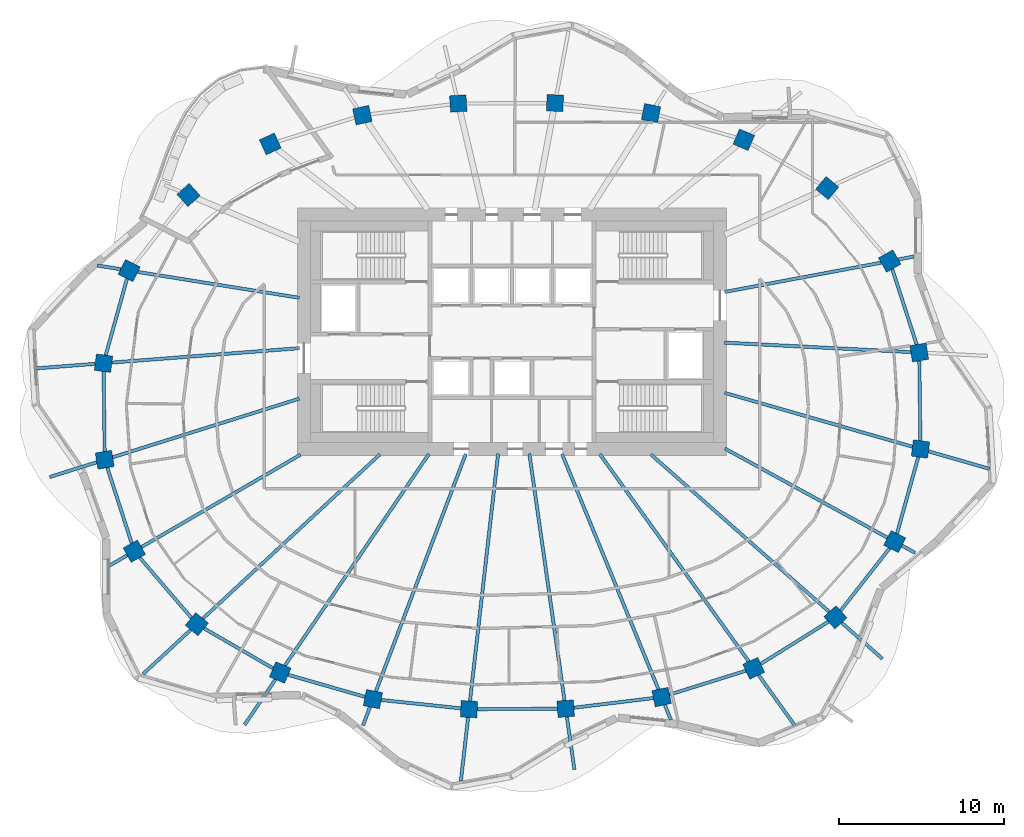
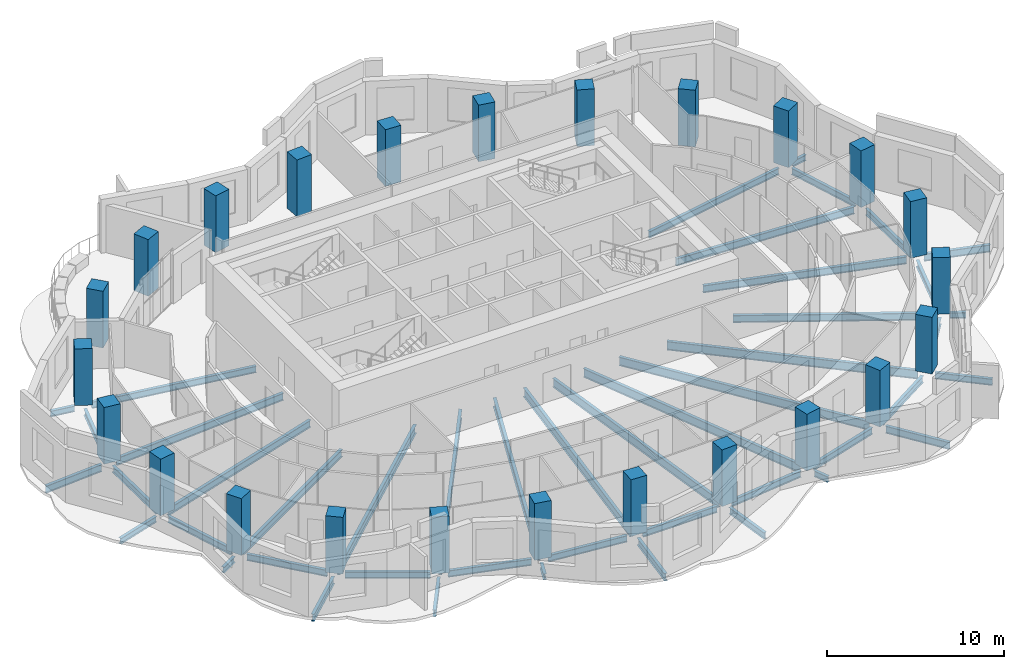
# One storey, part 1 of 13: 46 beams, 24 columns.
"""IFC4 building model written with IfcOpenShell, lengths in metres."""

from ifc_helpers import new_model, si_unit, direction, frame, origin, origin_2d, place, context, subcontext, project, spatial, rectangle, i_section, extrude, material, material_profile, profile_set, type_object, element, save


model = new_model("IFC4")

# Units and contexts
model_context = context("Model", 3, precision=1e-05, world=origin(), true_north=direction((0.0, 1.0)))
body_context = subcontext(model_context, "Body", "Model", "MODEL_VIEW")
ifc_project = project(units=[si_unit("LENGTHUNIT", "METRE"), si_unit("AREAUNIT", "SQUARE_METRE"), si_unit("VOLUMEUNIT", "CUBIC_METRE"), si_unit("PLANEANGLEUNIT", "RADIAN"), si_unit("MASSUNIT", "GRAM", prefix="KILO")], contexts=[model_context])

# Site, building, storey
site_placement = place(None, origin())
site = spatial("IfcSite", under=ifc_project, at=site_placement, CompositionType="ELEMENT")
building_placement = place(site_placement, origin())
building = spatial("IfcBuilding", under=site, at=building_placement, Name="Rubra Terraces Tower", CompositionType="ELEMENT")
storey_placement = place(building_placement, frame((0.0, 0.0, 189.60009765625)))
storey = spatial("IfcBuildingStorey", under=building, at=storey_placement, Name="L46", CompositionType="ELEMENT", Elevation=189.60009765625)

# Columns
ifc_material_1 = material(Name="Concrete C50", Category="concrete")
ifc_material_profile_1 = material_profile(ifc_material_1, rectangle(XDim=1.0, YDim=1.0, at=origin_2d()), Name="RC 1000x1000")
ifc_profile_set_1 = profile_set([ifc_material_profile_1], Name="Concrete C50")
column_type = type_object("IfcColumnType", Name="RING COLUMN RC 1000x1000 C50", PredefinedType="COLUMN", material=ifc_profile_set_1)
for number, where, z_axis, x_axis, name in (
    (1, (24.6689453125, 3.248046875, 0.0), (0.0, 0.0, 1.0), (-0.161559167715, 0.986863027642, 0.0), "column-L46-ring-01"),
    (2, (22.87890625, 8.787109375, 0.0), (0.0, 0.0, 1.0), (-0.48852601316, 0.872549330678, 0.0), "column-L46-ring-02"),
    (3, (19.092041015625, 13.208984375, 0.0), (0.0, 0.0, 1.0), (-0.76886986222, 0.63940529789, 0.0), "column-L46-ring-03"),
    (4, (14.0419921875, 16.135986328125, 0.0), (0.0, 0.0, 1.0), (-0.920167856842, 0.391524092789, 0.0), "column-L46-ring-04"),
    (5, (8.422119140625, 17.7490234375, 0.0), (0.0, 0.0, 1.0), (-0.981654668733, 0.19066754143, 0.0), "column-L46-ring-05"),
    (6, (2.60205078125, 18.35791015625, 0.0), (0.0, 0.0, 1.0), (-0.998764256028, 0.049698700995, 0.0), "column-L46-ring-06"),
    (7, (-3.25390625, 18.330078125, 0.0), (0.0, 0.0, 1.0), (-0.998031548759, -0.062713855578, 0.0), "column-L46-ring-07"),
    (8, (-9.06298828125, 17.625, 0.0), (0.0, 0.0, 1.0), (-0.977652674797, -0.210226657352, 0.0), "column-L46-ring-08"),
    (9, (-14.64306640625, 15.881103515625, 0.0), (0.0, 0.0, 1.0), (-0.908778580451, -0.417278673927, 0.0), "column-L46-ring-09"),
    (10, (-19.593017578125, 12.7900390625, 0.0), (0.0, 0.0, 1.0), (-0.744021317198, -0.668155879683, 0.0), "column-L46-ring-10"),
    (11, (-23.18505859375, 8.2099609375, 0.0), (0.0, 0.0, 1.0), (-0.451027931402, -0.892509834733, 0.0), "column-L46-ring-11"),
    (12, (-24.742919921875, 2.59912109375, 0.0), (0.0, 0.0, 1.0), (-0.128443684554, -0.991716804283, 0.0), "column-L46-ring-12"),
    (13, (-24.6689453125, -3.248046875, 0.0), (0.0, 0.0, 1.0), (0.161559167715, -0.986863027642, 0.0), "column-L46-ring-13"),
    (14, (-22.87890625, -8.787109375, 0.0), (0.0, 0.0, 1.0), (0.48852601316, -0.872549330678, 0.0), "column-L46-ring-14"),
    (15, (-19.092041015625, -13.208984375, 0.0), (0.0, 0.0, 1.0), (0.76886986222, -0.63940529789, 0.0), "column-L46-ring-15"),
    (16, (-14.0419921875, -16.135986328125, 0.0), (0.0, 0.0, 1.0), (0.920167856842, -0.391524092789, 0.0), "column-L46-ring-16"),
    (17, (-8.422119140625, -17.7490234375, 0.0), (0.0, 0.0, 1.0), (0.981654668733, -0.19066754143, 0.0), "column-L46-ring-17"),
    (18, (-2.60205078125, -18.35791015625, 0.0), (0.0, 0.0, 1.0), (0.998764256028, -0.049698700995, 0.0), "column-L46-ring-18"),
    (19, (3.25390625, -18.330078125, 0.0), (0.0, 0.0, 1.0), (0.998031548759, 0.062713855578, 0.0), "column-L46-ring-19"),
    (20, (9.06298828125, -17.625, 0.0), (0.0, 0.0, 1.0), (0.977652674797, 0.210226657352, 0.0), "column-L46-ring-20"),
    (21, (14.64306640625, -15.881103515625, 0.0), (0.0, 0.0, 1.0), (0.908778580451, 0.417278673927, 0.0), "column-L46-ring-21"),
    (22, (19.593017578125, -12.7900390625, 0.0), (0.0, 0.0, 1.0), (0.744021317198, 0.668155879683, 0.0), "column-L46-ring-22"),
    (23, (23.18505859375, -8.2099609375, 0.0), (0.0, 0.0, 1.0), (0.451027931402, 0.892509834733, 0.0), "column-L46-ring-23"),
    (24, (24.742919921875, -2.59912109375, 0.0), (0.0, 0.0, 1.0), (0.128443684554, 0.991716804283, 0.0), "column-L46-ring-24"),
):
    element("IfcColumn", number, at=place(storey_placement, frame(where, z_axis=z_axis, x_axis=x_axis)), inside=storey, type_object=column_type, Name=name, PredefinedType="COLUMN", context=body_context, shape_type="SweptSolid", body=[
        extrude(rectangle(XDim=1.0, YDim=1.0, at=origin_2d()), origin(), (0.0, 0.0, 1.0), 3.89990234375),
    ])

# Beams
ifc_material_2 = material(Name="Steel Q355B", Category="steel")
ifc_material_profile_2 = material_profile(ifc_material_2, i_section(OverallWidth=0.199951171875, OverallDepth=0.39990234375, WebThickness=0.008056640625, FlangeThickness=0.012939453125, at=origin_2d()), Name="HN 400x200x8x13")
ifc_profile_set_2 = profile_set([ifc_material_profile_2], Name="Steel Q355B")
beam_type_1 = type_object("IfcBeamType", Name="CANTILEVER BEAM HN 400x200x8x13", PredefinedType="BEAM", material=ifc_profile_set_2)
beam_1_placement = place(storey_placement, frame((-25.15087890625, -3.39892578125, -0.400146484375), z_axis=(-0.953969672144, -0.299903092065, 0.0), x_axis=(0.299903092065, -0.953969672144, 0.0)))
element("IfcBeam", 25, at=beam_1_placement, inside=storey, type_object=beam_type_1, Name="beam-L46-cant-13", PredefinedType="BEAM", context=body_context, shape_type="SweptSolid", body=[
    extrude(i_section(OverallWidth=0.199951171875, OverallDepth=0.39990234375, WebThickness=0.008056640625, FlangeThickness=0.012939453125, at=origin_2d()), origin(), (0.0, 0.0, 1.0), 2.987548828125),
])
ifc_material_profile_3 = material_profile(ifc_material_2, i_section(OverallWidth=0.198974609375, OverallDepth=0.446044921875, WebThickness=0.008056640625, FlangeThickness=0.011962890625, at=origin_2d()), Name="HN 446x199x8x12")
ifc_profile_set_3 = profile_set([ifc_material_profile_3], Name="Steel Q355B")
beam_type_2 = type_object("IfcBeamType", Name="CANTILEVER BEAM HN 446x199x8x12", PredefinedType="BEAM", material=ifc_profile_set_3)
beam_2_placement = place(storey_placement, frame((-14.3291015625, -16.556884765625, -0.423095703125), z_axis=(-0.562356236062, -0.826895074215, 0.0), x_axis=(0.826895074215, -0.562356236062, 0.0)))
element("IfcBeam", 26, at=beam_2_placement, inside=storey, type_object=beam_type_2, Name="beam-L46-cant-16", PredefinedType="BEAM", context=body_context, shape_type="SweptSolid", body=[
    extrude(i_section(OverallWidth=0.198974609375, OverallDepth=0.446044921875, WebThickness=0.008056640625, FlangeThickness=0.011962890625, at=origin_2d()), origin(), (0.0, 0.0, 1.0), 3.3232421875),
])
beam_3_placement = place(storey_placement, frame((3.324951171875, -18.826904296875, -0.423095703125), z_axis=(0.141017135848, -0.990007155225, 0.0), x_axis=(0.990007155225, 0.141017135848, 0.0)))
element("IfcBeam", 27, at=beam_3_placement, inside=storey, type_object=beam_type_2, Name="beam-L46-cant-19", PredefinedType="BEAM", context=body_context, shape_type="SweptSolid", body=[
    extrude(i_section(OverallWidth=0.198974609375, OverallDepth=0.446044921875, WebThickness=0.008056640625, FlangeThickness=0.011962890625, at=origin_2d()), origin(), (0.0, 0.0, 1.0), 3.21337890625),
])
beam_4_placement = place(storey_placement, frame((19.969970703125, -13.123046875, -0.423095703125), z_axis=(0.749902745466, -0.661548087702, 0.0), x_axis=(0.661548087702, 0.749902745466, 0.0)))
element("IfcBeam", 28, at=beam_4_placement, inside=storey, type_object=beam_type_2, Name="beam-L46-cant-22", PredefinedType="BEAM", context=body_context, shape_type="SweptSolid", body=[
    extrude(i_section(OverallWidth=0.198974609375, OverallDepth=0.446044921875, WebThickness=0.008056640625, FlangeThickness=0.011962890625, at=origin_2d()), origin(), (0.0, 0.0, 1.0), 3.293701171875),
])
ifc_material_profile_4 = material_profile(ifc_material_2, i_section(OverallWidth=0.198974609375, OverallDepth=0.49609375, WebThickness=0.009033203125, FlangeThickness=0.013916015625, at=origin_2d()), Name="HN 496x199x9x14")
ifc_profile_set_4 = profile_set([ifc_material_profile_4], Name="Steel Q355B")
beam_type_3 = type_object("IfcBeamType", Name="CANTILEVER BEAM HN 496x199x9x14", PredefinedType="BEAM", material=ifc_profile_set_4)
beam_5_placement = place(storey_placement, frame((-25.251953125, 2.56005859375, -0.447998046875), z_axis=(-0.997068393292, -0.076515482732, 0.0), x_axis=(0.076515482732, -0.997068393292, 0.0)))
element("IfcBeam", 29, at=beam_5_placement, inside=storey, type_object=beam_type_3, Name="beam-L46-cant-12", PredefinedType="BEAM", context=body_context, shape_type="SweptSolid", body=[
    extrude(i_section(OverallWidth=0.198974609375, OverallDepth=0.49609375, WebThickness=0.009033203125, FlangeThickness=0.013916015625, at=origin_2d()), origin(), (0.0, 0.0, 1.0), 3.816162109375),
])
beam_6_placement = place(storey_placement, frame((-19.4619140625, -13.552001953125, -0.447998046875), z_axis=(-0.733256316267, -0.679952332634, 0.0), x_axis=(0.679952332634, -0.733256316267, 0.0)))
element("IfcBeam", 30, at=beam_6_placement, inside=storey, type_object=beam_type_3, Name="beam-L46-cant-15", PredefinedType="BEAM", context=body_context, shape_type="SweptSolid", body=[
    extrude(i_section(OverallWidth=0.198974609375, OverallDepth=0.49609375, WebThickness=0.009033203125, FlangeThickness=0.013916015625, at=origin_2d()), origin(), (0.0, 0.0, 1.0), 3.92529296875),
])
beam_7_placement = place(storey_placement, frame((-2.658935546875, -18.85595703125, -0.447998046875), z_axis=(-0.113002967093, -0.993594650463, 0.0), x_axis=(0.993594650463, -0.113002967093, 0.0)))
element("IfcBeam", 31, at=beam_7_placement, inside=storey, type_object=beam_type_3, Name="beam-L46-cant-18", PredefinedType="BEAM", context=body_context, shape_type="SweptSolid", body=[
    extrude(i_section(OverallWidth=0.198974609375, OverallDepth=0.49609375, WebThickness=0.009033203125, FlangeThickness=0.013916015625, at=origin_2d()), origin(), (0.0, 0.0, 1.0), 3.8759765625),
])
beam_8_placement = place(storey_placement, frame((14.93994140625, -16.294921875, -0.447998046875), z_axis=(0.583477927211, -0.812128997424, 0.0), x_axis=(0.812128997424, 0.583477927211, 0.0)))
element("IfcBeam", 32, at=beam_8_placement, inside=storey, type_object=beam_type_3, Name="beam-L46-cant-21", PredefinedType="BEAM", context=body_context, shape_type="SweptSolid", body=[
    extrude(i_section(OverallWidth=0.198974609375, OverallDepth=0.49609375, WebThickness=0.009033203125, FlangeThickness=0.013916015625, at=origin_2d()), origin(), (0.0, 0.0, 1.0), 3.9453125),
])
beam_9_placement = place(storey_placement, frame((25.22900390625, -2.738037109375, -0.447998046875), z_axis=(0.961168845491, -0.275960958213, 0.0), x_axis=(0.275960958213, 0.961168845491, 0.0)))
element("IfcBeam", 33, at=beam_9_placement, inside=storey, type_object=beam_type_3, Name="beam-L46-cant-24", PredefinedType="BEAM", context=body_context, shape_type="SweptSolid", body=[
    extrude(i_section(OverallWidth=0.198974609375, OverallDepth=0.49609375, WebThickness=0.009033203125, FlangeThickness=0.013916015625, at=origin_2d()), origin(), (0.0, 0.0, 1.0), 3.848388671875),
])
ifc_material_profile_5 = material_profile(ifc_material_2, i_section(OverallWidth=0.199951171875, OverallDepth=0.39990234375, WebThickness=0.008056640625, FlangeThickness=0.012939453125, at=origin_2d()), Name="HN 400x200x8x13")
ifc_profile_set_5 = profile_set([ifc_material_profile_5], Name="Steel Q355B")
beam_type_4 = type_object("IfcBeamType", Name="CANTILEVER STUB HN 400x200x8x13", PredefinedType="BEAM", material=ifc_profile_set_5)
beam_10_placement = place(storey_placement, frame((23.39794921875, 8.884033203125, -0.400146484375), z_axis=(0.98285471524, 0.184381693047, 0.0), x_axis=(-0.184381693047, 0.98285471524, 0.0)))
element("IfcBeam", 34, at=beam_10_placement, inside=storey, type_object=beam_type_4, Name="beam-L46-cant-02", PredefinedType="BEAM", context=body_context, shape_type="SweptSolid", body=[
    extrude(i_section(OverallWidth=0.199951171875, OverallDepth=0.39990234375, WebThickness=0.008056640625, FlangeThickness=0.012939453125, at=origin_2d()), origin(), (0.0, 0.0, 1.0), 0.949462890625),
])
beam_11_placement = place(storey_placement, frame((-23.702880859375, 8.29296875, -0.400146484375), z_axis=(-0.987493698574, 0.157658476703, 0.0), x_axis=(-0.157658476703, -0.987493698574, 0.0)))
element("IfcBeam", 35, at=beam_11_placement, inside=storey, type_object=beam_type_4, Name="beam-L46-cant-11", PredefinedType="BEAM", context=body_context, shape_type="SweptSolid", body=[
    extrude(i_section(OverallWidth=0.199951171875, OverallDepth=0.39990234375, WebThickness=0.008056640625, FlangeThickness=0.012939453125, at=origin_2d()), origin(), (0.0, 0.0, 1.0), 1.433837890625),
])
beam_12_placement = place(storey_placement, frame((-23.31103515625, -9.0380859375, -0.400146484375), z_axis=(-0.864876013532, -0.501985538852, 0.0), x_axis=(0.501985538852, -0.864876013532, 0.0)))
element("IfcBeam", 36, at=beam_12_placement, inside=storey, type_object=beam_type_4, Name="beam-L46-cant-14", PredefinedType="BEAM", context=body_context, shape_type="SweptSolid", body=[
    extrude(i_section(OverallWidth=0.199951171875, OverallDepth=0.39990234375, WebThickness=0.008056640625, FlangeThickness=0.012939453125, at=origin_2d()), origin(), (0.0, 0.0, 1.0), 1.2568359375),
])
beam_13_placement = place(storey_placement, frame((-8.60205078125, -18.222900390625, -0.400146484375), z_axis=(-0.353704766013, -0.935357118164, 0.0), x_axis=(0.935357118164, -0.353704766013, 0.0)))
element("IfcBeam", 37, at=beam_13_placement, inside=storey, type_object=beam_type_4, Name="beam-L46-cant-17", PredefinedType="BEAM", context=body_context, shape_type="SweptSolid", body=[
    extrude(i_section(OverallWidth=0.199951171875, OverallDepth=0.39990234375, WebThickness=0.008056640625, FlangeThickness=0.012939453125, at=origin_2d()), origin(), (0.0, 0.0, 1.0), 1.20166015625),
])
beam_14_placement = place(storey_placement, frame((9.256103515625, -18.094970703125, -0.400146484375), z_axis=(0.378119073975, -0.925756969132, 0.0), x_axis=(0.925756969132, 0.378119073975, 0.0)))
element("IfcBeam", 38, at=beam_14_placement, inside=storey, type_object=beam_type_4, Name="beam-L46-cant-20", PredefinedType="BEAM", context=body_context, shape_type="SweptSolid", body=[
    extrude(i_section(OverallWidth=0.199951171875, OverallDepth=0.39990234375, WebThickness=0.008056640625, FlangeThickness=0.012939453125, at=origin_2d()), origin(), (0.0, 0.0, 1.0), 0.980712890625),
])
beam_15_placement = place(storey_placement, frame((23.6240234375, -8.449951171875, -0.400146484375), z_axis=(0.876376358267, -0.481626908168, 0.0), x_axis=(0.481626908168, 0.876376358267, 0.0)))
element("IfcBeam", 39, at=beam_15_placement, inside=storey, type_object=beam_type_4, Name="beam-L46-cant-23", PredefinedType="BEAM", context=body_context, shape_type="SweptSolid", body=[
    extrude(i_section(OverallWidth=0.199951171875, OverallDepth=0.39990234375, WebThickness=0.008056640625, FlangeThickness=0.012939453125, at=origin_2d()), origin(), (0.0, 0.0, 1.0), 0.899169921875),
])
ifc_material_profile_6 = material_profile(ifc_material_2, i_section(OverallWidth=0.198974609375, OverallDepth=0.446044921875, WebThickness=0.008056640625, FlangeThickness=0.011962890625, at=origin_2d()), Name="HN 446x199x8x12")
ifc_profile_set_6 = profile_set([ifc_material_profile_6], Name="Steel Q355B")
beam_type_5 = type_object("IfcBeamType", Name="FLOOR BEAM HN 446x199x8x12", PredefinedType="BEAM", material=ifc_profile_set_6)
beam_16_placement = place(storey_placement, frame((22.360107421875, 8.68994140625, -0.423095703125), z_axis=(-0.982895681695, -0.18416318553, 0.0), x_axis=(0.18416318553, -0.982895681695, 0.0)))
element("IfcBeam", 40, at=beam_16_placement, inside=storey, type_object=beam_type_5, Name="beam-L46-floor-02", PredefinedType="BEAM", context=body_context, shape_type="SweptSolid", body=[
    extrude(i_section(OverallWidth=0.198974609375, OverallDepth=0.446044921875, WebThickness=0.008056640625, FlangeThickness=0.011962890625, at=origin_2d()), origin(), (0.0, 0.0, 1.0), 9.64306640625),
])
beam_17_placement = place(storey_placement, frame((-22.6669921875, 8.126953125, -0.423095703125), z_axis=(0.987435404133, -0.158023171289, 0.0), x_axis=(0.158023171289, 0.987435404133, 0.0)))
element("IfcBeam", 41, at=beam_17_placement, inside=storey, type_object=beam_type_5, Name="beam-L46-floor-11", PredefinedType="BEAM", context=body_context, shape_type="SweptSolid", body=[
    extrude(i_section(OverallWidth=0.198974609375, OverallDepth=0.446044921875, WebThickness=0.008056640625, FlangeThickness=0.011962890625, at=origin_2d()), origin(), (0.0, 0.0, 1.0), 9.909423828125),
])
ifc_material_profile_7 = material_profile(ifc_material_2, i_section(OverallWidth=0.198974609375, OverallDepth=0.49609375, WebThickness=0.009033203125, FlangeThickness=0.013916015625, at=origin_2d()), Name="HN 496x199x9x14")
ifc_profile_set_7 = profile_set([ifc_material_profile_7], Name="Steel Q355B")
beam_type_6 = type_object("IfcBeamType", Name="FLOOR BEAM HN 496x199x9x14", PredefinedType="BEAM", material=ifc_profile_set_7)
beam_18_placement = place(storey_placement, frame((24.157958984375, 3.27392578125, -0.447998046875), z_axis=(-0.998716228561, 0.050654662269, 0.0), x_axis=(-0.050654662269, -0.998716228561, 0.0)))
element("IfcBeam", 42, at=beam_18_placement, inside=storey, type_object=beam_type_6, Name="beam-L46-floor-01", PredefinedType="BEAM", context=body_context, shape_type="SweptSolid", body=[
    extrude(i_section(OverallWidth=0.198974609375, OverallDepth=0.49609375, WebThickness=0.009033203125, FlangeThickness=0.013916015625, at=origin_2d()), origin(), (0.0, 0.0, 1.0), 11.29248046875),
])
beam_19_placement = place(storey_placement, frame((-24.23388671875, 2.637939453125, -0.447998046875), z_axis=(0.997063306908, 0.076581734234, 0.0), x_axis=(-0.076581734234, 0.997063306908, 0.0)))
element("IfcBeam", 43, at=beam_19_placement, inside=storey, type_object=beam_type_6, Name="beam-L46-floor-12", PredefinedType="BEAM", context=body_context, shape_type="SweptSolid", body=[
    extrude(i_section(OverallWidth=0.198974609375, OverallDepth=0.49609375, WebThickness=0.009033203125, FlangeThickness=0.013916015625, at=origin_2d()), origin(), (0.0, 0.0, 1.0), 11.387451171875),
])
beam_20_placement = place(storey_placement, frame((-24.18701171875, -3.096923828125, -0.447998046875), z_axis=(0.954040699023, 0.299677067204, 0.0), x_axis=(-0.299677067204, 0.954040699023, 0.0)))
element("IfcBeam", 44, at=beam_20_placement, inside=storey, type_object=beam_type_6, Name="beam-L46-floor-13", PredefinedType="BEAM", context=body_context, shape_type="SweptSolid", body=[
    extrude(i_section(OverallWidth=0.198974609375, OverallDepth=0.49609375, WebThickness=0.009033203125, FlangeThickness=0.013916015625, at=origin_2d()), origin(), (0.0, 0.0, 1.0), 11.845458984375),
])
beam_21_placement = place(storey_placement, frame((-22.447021484375, -8.535888671875, -0.447998046875), z_axis=(0.864755491844, 0.502193129508, 0.0), x_axis=(-0.502193129508, 0.864755491844, 0.0)))
element("IfcBeam", 45, at=beam_21_placement, inside=storey, type_object=beam_type_6, Name="beam-L46-floor-14", PredefinedType="BEAM", context=body_context, shape_type="SweptSolid", body=[
    extrude(i_section(OverallWidth=0.198974609375, OverallDepth=0.49609375, WebThickness=0.009033203125, FlangeThickness=0.013916015625, at=origin_2d()), origin(), (0.0, 0.0, 1.0), 11.14306640625),
])
beam_22_placement = place(storey_placement, frame((22.74609375, -7.969970703125, -0.447998046875), z_axis=(-0.876862055903, 0.480742066932, 0.0), x_axis=(-0.480742066932, -0.876862055903, 0.0)))
element("IfcBeam", 46, at=beam_22_placement, inside=storey, type_object=beam_type_6, Name="beam-L46-floor-23", PredefinedType="BEAM", context=body_context, shape_type="SweptSolid", body=[
    extrude(i_section(OverallWidth=0.198974609375, OverallDepth=0.49609375, WebThickness=0.009033203125, FlangeThickness=0.013916015625, at=origin_2d()), origin(), (0.0, 0.0, 1.0), 11.234375),
])
beam_23_placement = place(storey_placement, frame((24.257080078125, -2.4599609375, -0.447998046875), z_axis=(-0.961215754667, 0.275797521707, 0.0), x_axis=(-0.275797521707, -0.961215754667, 0.0)))
element("IfcBeam", 47, at=beam_23_placement, inside=storey, type_object=beam_type_6, Name="beam-L46-floor-24", PredefinedType="BEAM", context=body_context, shape_type="SweptSolid", body=[
    extrude(i_section(OverallWidth=0.198974609375, OverallDepth=0.49609375, WebThickness=0.009033203125, FlangeThickness=0.013916015625, at=origin_2d()), origin(), (0.0, 0.0, 1.0), 11.830810546875),
])
ifc_material_profile_8 = material_profile(ifc_material_2, i_section(OverallWidth=0.198974609375, OverallDepth=0.595947265625, WebThickness=0.010009765625, FlangeThickness=0.014892578125, at=origin_2d()), Name="HN 596x199x10x15")
ifc_profile_set_8 = profile_set([ifc_material_profile_8], Name="Steel Q355B")
beam_type_7 = type_object("IfcBeamType", Name="FLOOR BEAM HN 596x199x10x15", PredefinedType="BEAM", material=ifc_profile_set_8)
beam_24_placement = place(storey_placement, frame((-18.721923828125, -12.865966796875, -0.498046875), z_axis=(0.733130458484, 0.680088031687, 0.0), x_axis=(-0.680088031687, 0.733130458484, 0.0)))
element("IfcBeam", 48, at=beam_24_placement, inside=storey, type_object=beam_type_7, Name="beam-L46-floor-15", PredefinedType="BEAM", context=body_context, shape_type="SweptSolid", body=[
    extrude(i_section(OverallWidth=0.198974609375, OverallDepth=0.595947265625, WebThickness=0.010009765625, FlangeThickness=0.014892578125, at=origin_2d()), origin(), (0.0, 0.0, 1.0), 14.62744140625),
])
beam_25_placement = place(storey_placement, frame((-13.7548828125, -15.715087890625, -0.498046875), z_axis=(0.562545242124, 0.826766503049, 0.0), x_axis=(-0.826766503049, 0.562545242124, 0.0)))
element("IfcBeam", 49, at=beam_25_placement, inside=storey, type_object=beam_type_7, Name="beam-L46-floor-16", PredefinedType="BEAM", context=body_context, shape_type="SweptSolid", body=[
    extrude(i_section(OverallWidth=0.198974609375, OverallDepth=0.595947265625, WebThickness=0.010009765625, FlangeThickness=0.014892578125, at=origin_2d()), origin(), (0.0, 0.0, 1.0), 15.499267578125),
])
beam_26_placement = place(storey_placement, frame((-8.241943359375, -17.27490234375, -0.498046875), z_axis=(0.353955134415, 0.93526240319, 0.0), x_axis=(-0.93526240319, 0.353955134415, 0.0)))
element("IfcBeam", 50, at=beam_26_placement, inside=storey, type_object=beam_type_7, Name="beam-L46-floor-17", PredefinedType="BEAM", context=body_context, shape_type="SweptSolid", body=[
    extrude(i_section(OverallWidth=0.198974609375, OverallDepth=0.595947265625, WebThickness=0.010009765625, FlangeThickness=0.014892578125, at=origin_2d()), origin(), (0.0, 0.0, 1.0), 15.3828125),
])
beam_27_placement = place(storey_placement, frame((-2.544921875, -17.860107421875, -0.498046875), z_axis=(0.113084825914, 0.993585337124, 0.0), x_axis=(-0.993585337124, 0.113084825914, 0.0)))
element("IfcBeam", 51, at=beam_27_placement, inside=storey, type_object=beam_type_7, Name="beam-L46-floor-18", PredefinedType="BEAM", context=body_context, shape_type="SweptSolid", body=[
    extrude(i_section(OverallWidth=0.198974609375, OverallDepth=0.595947265625, WebThickness=0.010009765625, FlangeThickness=0.014892578125, at=origin_2d()), origin(), (0.0, 0.0, 1.0), 15.07568359375),
])
beam_28_placement = place(storey_placement, frame((3.18310546875, -17.8330078125, -0.498046875), z_axis=(-0.141104514479, 0.989994705033, 0.0), x_axis=(-0.989994705033, -0.141104514479, 0.0)))
element("IfcBeam", 52, at=beam_28_placement, inside=storey, type_object=beam_type_7, Name="beam-L46-floor-19", PredefinedType="BEAM", context=body_context, shape_type="SweptSolid", body=[
    extrude(i_section(OverallWidth=0.198974609375, OverallDepth=0.595947265625, WebThickness=0.010009765625, FlangeThickness=0.014892578125, at=origin_2d()), origin(), (0.0, 0.0, 1.0), 15.10302734375),
])
beam_29_placement = place(storey_placement, frame((8.8701171875, -17.155029296875, -0.498046875), z_axis=(-0.379015131933, 0.925390474214, 0.0), x_axis=(-0.925390474214, -0.379015131933, 0.0)))
element("IfcBeam", 53, at=beam_29_placement, inside=storey, type_object=beam_type_7, Name="beam-L46-floor-20", PredefinedType="BEAM", context=body_context, shape_type="SweptSolid", body=[
    extrude(i_section(OverallWidth=0.198974609375, OverallDepth=0.595947265625, WebThickness=0.010009765625, FlangeThickness=0.014892578125, at=origin_2d()), origin(), (0.0, 0.0, 1.0), 15.416259765625),
])
beam_30_placement = place(storey_placement, frame((14.345947265625, -15.467041015625, -0.498046875), z_axis=(-0.583528740197, 0.812092488183, 0.0), x_axis=(-0.812092488183, -0.583528740197, 0.0)))
element("IfcBeam", 54, at=beam_30_placement, inside=storey, type_object=beam_type_7, Name="beam-L46-floor-21", PredefinedType="BEAM", context=body_context, shape_type="SweptSolid", body=[
    extrude(i_section(OverallWidth=0.198974609375, OverallDepth=0.595947265625, WebThickness=0.010009765625, FlangeThickness=0.014892578125, at=origin_2d()), origin(), (0.0, 0.0, 1.0), 15.47119140625),
])
beam_31_placement = place(storey_placement, frame((19.216064453125, -12.45703125, -0.498046875), z_axis=(-0.749823025288, 0.661638444128, 0.0), x_axis=(-0.661638444128, -0.749823025288, 0.0)))
element("IfcBeam", 55, at=beam_31_placement, inside=storey, type_object=beam_type_7, Name="beam-L46-floor-22", PredefinedType="BEAM", context=body_context, shape_type="SweptSolid", body=[
    extrude(i_section(OverallWidth=0.198974609375, OverallDepth=0.595947265625, WebThickness=0.010009765625, FlangeThickness=0.014892578125, at=origin_2d()), origin(), (0.0, 0.0, 1.0), 14.412841796875),
])
ifc_material_profile_9 = material_profile(ifc_material_2, i_section(OverallWidth=0.198974609375, OverallDepth=0.446044921875, WebThickness=0.008056640625, FlangeThickness=0.011962890625, at=origin_2d()), Name="HN 446x199x8x12")
ifc_profile_set_9 = profile_set([ifc_material_profile_9], Name="Steel Q355B")
beam_type_8 = type_object("IfcBeamType", Name="SPANDREL BEAM HN 446x199x8x12", PredefinedType="SPANDREL", material=ifc_profile_set_9)
beam_32_placement = place(storey_placement, frame((24.512939453125, 3.72900390625, -0.423095703125), z_axis=(-0.307359002872, 0.951593633519, 0.0), x_axis=(-0.951593633519, -0.307359002872, 0.0)))
element("IfcBeam", 56, at=beam_32_placement, inside=storey, type_object=beam_type_8, Name="beam-L46-spandrel-01", PredefinedType="SPANDREL", context=body_context, shape_type="SweptSolid", body=[
    extrude(i_section(OverallWidth=0.198974609375, OverallDepth=0.446044921875, WebThickness=0.008056640625, FlangeThickness=0.011962890625, at=origin_2d()), origin(), (0.0, 0.0, 1.0), 4.8056640625),
])
beam_33_placement = place(storey_placement, frame((-23.321044921875, 7.718994140625, -0.423095703125), z_axis=(-0.267625533012, -0.963523001324, 0.0), x_axis=(0.963523001324, -0.267625533012, 0.0)))
element("IfcBeam", 57, at=beam_33_placement, inside=storey, type_object=beam_type_8, Name="beam-L46-spandrel-11", PredefinedType="SPANDREL", context=body_context, shape_type="SweptSolid", body=[
    extrude(i_section(OverallWidth=0.198974609375, OverallDepth=0.446044921875, WebThickness=0.008056640625, FlangeThickness=0.011962890625, at=origin_2d()), origin(), (0.0, 0.0, 1.0), 4.808349609375),
])
beam_34_placement = place(storey_placement, frame((-24.737060546875, 2.093994140625, -0.423095703125), z_axis=(0.012822047643, -0.999917794168, 0.0), x_axis=(0.999917794168, 0.012822047643, 0.0)))
element("IfcBeam", 58, at=beam_34_placement, inside=storey, type_object=beam_type_8, Name="beam-L46-spandrel-12", PredefinedType="SPANDREL", context=body_context, shape_type="SweptSolid", body=[
    extrude(i_section(OverallWidth=0.198974609375, OverallDepth=0.446044921875, WebThickness=0.008056640625, FlangeThickness=0.011962890625, at=origin_2d()), origin(), (0.0, 0.0, 1.0), 4.83642578125),
])
beam_35_placement = place(storey_placement, frame((-24.512939453125, -3.72900390625, -0.423095703125), z_axis=(0.307359002872, -0.951593633519, 0.0), x_axis=(0.951593633519, 0.307359002872, 0.0)))
element("IfcBeam", 59, at=beam_35_placement, inside=storey, type_object=beam_type_8, Name="beam-L46-spandrel-13", PredefinedType="SPANDREL", context=body_context, shape_type="SweptSolid", body=[
    extrude(i_section(OverallWidth=0.198974609375, OverallDepth=0.446044921875, WebThickness=0.008056640625, FlangeThickness=0.011962890625, at=origin_2d()), origin(), (0.0, 0.0, 1.0), 4.8056640625),
])
beam_36_placement = place(storey_placement, frame((-22.547119140625, -9.174072265625, -0.423095703125), z_axis=(0.650372836218, -0.759615148552, 0.0), x_axis=(0.759615148552, 0.650372836218, 0.0)))
element("IfcBeam", 60, at=beam_36_placement, inside=storey, type_object=beam_type_8, Name="beam-L46-spandrel-14", PredefinedType="SPANDREL", context=body_context, shape_type="SweptSolid", body=[
    extrude(i_section(OverallWidth=0.198974609375, OverallDepth=0.446044921875, WebThickness=0.008056640625, FlangeThickness=0.011962890625, at=origin_2d()), origin(), (0.0, 0.0, 1.0), 4.804931640625),
])
beam_37_placement = place(storey_placement, frame((-18.653076171875, -13.462890625, -0.423095703125), z_axis=(0.865153680787, -0.501506838059, 0.0), x_axis=(0.501506838059, 0.865153680787, 0.0)))
element("IfcBeam", 61, at=beam_37_placement, inside=storey, type_object=beam_type_8, Name="beam-L46-spandrel-15", PredefinedType="SPANDREL", context=body_context, shape_type="SweptSolid", body=[
    extrude(i_section(OverallWidth=0.198974609375, OverallDepth=0.446044921875, WebThickness=0.008056640625, FlangeThickness=0.011962890625, at=origin_2d()), origin(), (0.0, 0.0, 1.0), 4.82568359375),
])
beam_38_placement = place(storey_placement, frame((-13.55810546875, -16.27490234375, -0.423095703125), z_axis=(0.961171164323, -0.275952881621, 0.0), x_axis=(0.275952881621, 0.961171164323, 0.0)))
element("IfcBeam", 62, at=beam_38_placement, inside=storey, type_object=beam_type_8, Name="beam-L46-spandrel-16", PredefinedType="SPANDREL", context=body_context, shape_type="SweptSolid", body=[
    extrude(i_section(OverallWidth=0.198974609375, OverallDepth=0.446044921875, WebThickness=0.008056640625, FlangeThickness=0.011962890625, at=origin_2d()), origin(), (0.0, 0.0, 1.0), 4.842041015625),
])
beam_39_placement = place(storey_placement, frame((-7.923095703125, -17.801025390625, -0.423095703125), z_axis=(0.994565426955, -0.104113454971, 0.0), x_axis=(0.104113454971, 0.994565426955, 0.0)))
element("IfcBeam", 63, at=beam_39_placement, inside=storey, type_object=beam_type_8, Name="beam-L46-spandrel-17", PredefinedType="SPANDREL", context=body_context, shape_type="SweptSolid", body=[
    extrude(i_section(OverallWidth=0.198974609375, OverallDepth=0.446044921875, WebThickness=0.008056640625, FlangeThickness=0.011962890625, at=origin_2d()), origin(), (0.0, 0.0, 1.0), 4.849365234375),
])
beam_40_placement = place(storey_placement, frame((-2.10107421875, -18.35595703125, -0.423095703125), z_axis=(0.999987852299, 0.004929021704, 0.0), x_axis=(-0.004929021704, 0.999987852299, 0.0)))
element("IfcBeam", 64, at=beam_40_placement, inside=storey, type_object=beam_type_8, Name="beam-L46-spandrel-18", PredefinedType="SPANDREL", context=body_context, shape_type="SweptSolid", body=[
    extrude(i_section(OverallWidth=0.198974609375, OverallDepth=0.446044921875, WebThickness=0.008056640625, FlangeThickness=0.011962890625, at=origin_2d()), origin(), (0.0, 0.0, 1.0), 4.85400390625),
])
beam_41_placement = place(storey_placement, frame((3.7509765625, -18.27001953125, -0.423095703125), z_axis=(0.992698018573, 0.120626049929, 0.0), x_axis=(-0.120626049929, 0.992698018573, 0.0)))
element("IfcBeam", 65, at=beam_41_placement, inside=storey, type_object=beam_type_8, Name="beam-L46-spandrel-19", PredefinedType="SPANDREL", context=body_context, shape_type="SweptSolid", body=[
    extrude(i_section(OverallWidth=0.198974609375, OverallDepth=0.446044921875, WebThickness=0.008056640625, FlangeThickness=0.011962890625, at=origin_2d()), origin(), (0.0, 0.0, 1.0), 4.849365234375),
])
beam_42_placement = place(storey_placement, frame((9.5419921875, -17.47509765625, -0.423095703125), z_axis=(0.954462027342, 0.298332429282, 0.0), x_axis=(-0.298332429282, 0.954462027342, 0.0)))
element("IfcBeam", 66, at=beam_42_placement, inside=storey, type_object=beam_type_8, Name="beam-L46-spandrel-20", PredefinedType="SPANDREL", context=body_context, shape_type="SweptSolid", body=[
    extrude(i_section(OverallWidth=0.198974609375, OverallDepth=0.446044921875, WebThickness=0.008056640625, FlangeThickness=0.011962890625, at=origin_2d()), origin(), (0.0, 0.0, 1.0), 4.840576171875),
])
beam_43_placement = place(storey_placement, frame((15.071044921875, -15.614013671875, -0.423095703125), z_axis=(0.848183088492, 0.529703170083, 0.0), x_axis=(-0.529703170083, 0.848183088492, 0.0)))
element("IfcBeam", 67, at=beam_43_placement, inside=storey, type_object=beam_type_8, Name="beam-L46-spandrel-21", PredefinedType="SPANDREL", context=body_context, shape_type="SweptSolid", body=[
    extrude(i_section(OverallWidth=0.198974609375, OverallDepth=0.446044921875, WebThickness=0.008056640625, FlangeThickness=0.011962890625, at=origin_2d()), origin(), (0.0, 0.0, 1.0), 4.8232421875),
])
beam_44_placement = place(storey_placement, frame((19.906005859375, -12.39111328125, -0.423095703125), z_axis=(0.617060338015, 0.786915840004, 0.0), x_axis=(-0.786915840004, 0.617060338015, 0.0)))
element("IfcBeam", 68, at=beam_44_placement, inside=storey, type_object=beam_type_8, Name="beam-L46-spandrel-22", PredefinedType="SPANDREL", context=body_context, shape_type="SweptSolid", body=[
    extrude(i_section(OverallWidth=0.198974609375, OverallDepth=0.446044921875, WebThickness=0.008056640625, FlangeThickness=0.011962890625, at=origin_2d()), origin(), (0.0, 0.0, 1.0), 4.8037109375),
])
beam_45_placement = place(storey_placement, frame((23.321044921875, -7.718994140625, -0.423095703125), z_axis=(0.267625533012, 0.963523001324, 0.0), x_axis=(-0.963523001324, 0.267625533012, 0.0)))
element("IfcBeam", 69, at=beam_45_placement, inside=storey, type_object=beam_type_8, Name="beam-L46-spandrel-23", PredefinedType="SPANDREL", context=body_context, shape_type="SweptSolid", body=[
    extrude(i_section(OverallWidth=0.198974609375, OverallDepth=0.446044921875, WebThickness=0.008056640625, FlangeThickness=0.011962890625, at=origin_2d()), origin(), (0.0, 0.0, 1.0), 4.808349609375),
])
beam_46_placement = place(storey_placement, frame((24.737060546875, -2.093994140625, -0.423095703125), z_axis=(-0.012822047643, 0.999917794168, 0.0), x_axis=(-0.999917794168, -0.012822047643, 0.0)))
element("IfcBeam", 70, at=beam_46_placement, inside=storey, type_object=beam_type_8, Name="beam-L46-spandrel-24", PredefinedType="SPANDREL", context=body_context, shape_type="SweptSolid", body=[
    extrude(i_section(OverallWidth=0.198974609375, OverallDepth=0.446044921875, WebThickness=0.008056640625, FlangeThickness=0.011962890625, at=origin_2d()), origin(), (0.0, 0.0, 1.0), 4.83642578125),
])

save(model, "model.ifc")
